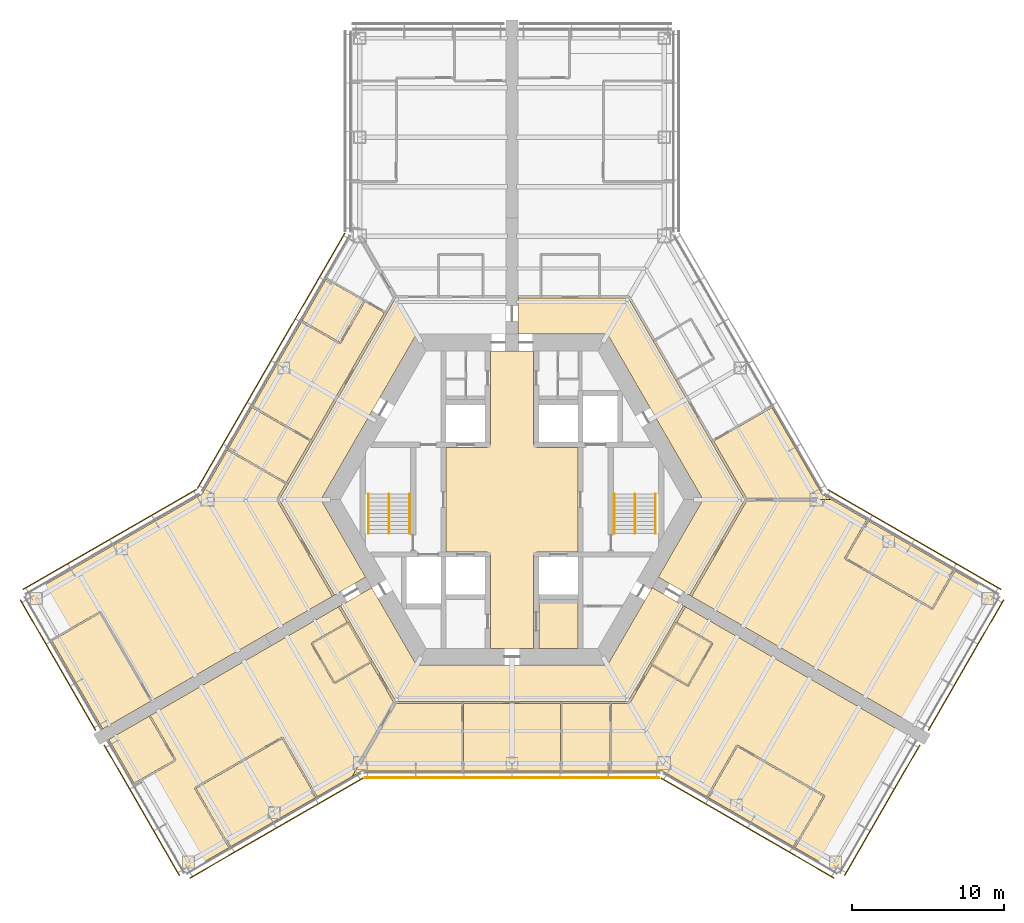
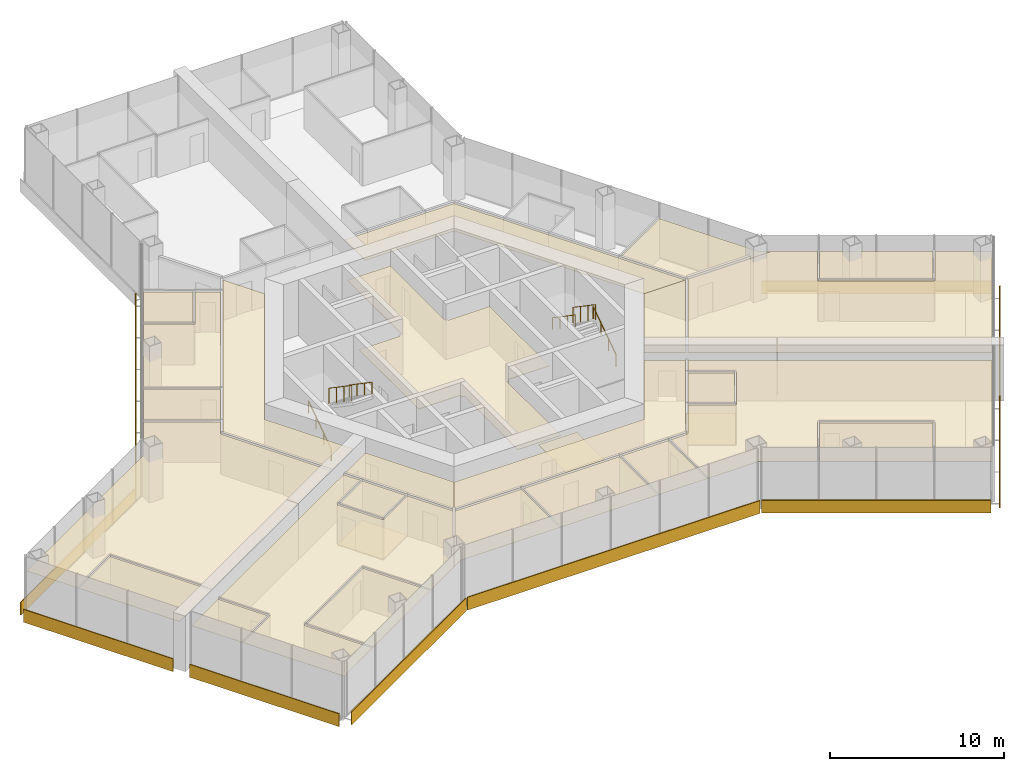
# One storey, part 18 of 19: 27 coverings, 10 shading devices, 6 railings.
"""IFC4 building model written with IfcOpenShell, lengths in metres."""

from ifc_helpers import new_model, si_unit, direction, frame, origin, origin_2d, place, context, subcontext, project, spatial, polyline, rectangle, circle, outline, extrude, material, layer, layer_set, type_object, element, save


model = new_model("IFC4")

# Units and contexts
model_context = context("Model", 3, precision=1e-05, world=origin(), true_north=direction((0.0, 1.0)))
body_context = subcontext(model_context, "Body", "Model", "MODEL_VIEW")
ifc_project = project(units=[si_unit("LENGTHUNIT", "METRE"), si_unit("AREAUNIT", "SQUARE_METRE"), si_unit("VOLUMEUNIT", "CUBIC_METRE"), si_unit("PLANEANGLEUNIT", "RADIAN"), si_unit("MASSUNIT", "GRAM", prefix="KILO")], contexts=[model_context])

# Site, building, storey
site_placement = place(None, origin())
site = spatial("IfcSite", under=ifc_project, at=site_placement, CompositionType="ELEMENT")
building_placement = place(site_placement, origin())
building = spatial("IfcBuilding", under=site, at=building_placement, Name="Kasaneha Research Tower", CompositionType="ELEMENT")
storey_placement = place(building_placement, frame((0.0, 0.0, 92.39990234375)))
storey = spatial("IfcBuildingStorey", under=building, at=storey_placement, Name="L23", CompositionType="ELEMENT", Elevation=92.39990234375)

# Covering
ifc_material_1 = material(Name="Aluminium panel ceiling", Category="aluminium")
ifc_layer_1 = layer(ifc_material_1, 0.0400390625)
ifc_layer_set_1 = layer_set([ifc_layer_1], Name="Lift lobby ceiling 40")
covering_type_1 = type_object("IfcCoveringType", Name="Lift lobby ceiling 40", PredefinedType="CEILING", material=ifc_layer_set_1)
covering_1_placement = place(storey_placement, frame((0.0, 0.0, 2.7001953125)))
element("IfcCovering", 1, at=covering_1_placement, inside=storey, type_object=covering_type_1, Name="Ceiling L23-01", PredefinedType="CEILING", context=body_context, shape_type="SweptSolid", body=[
    extrude(outline(polyline([(1.425048828125, 9.77490234375), (1.425048828125, 3.60009765625), (1.60009765625, 3.60009765625), (1.60009765625, 3.425048828125), (4.324951171875, 3.425048828125), (4.324951171875, -3.425048828125), (1.60009765625, -3.425048828125), (1.60009765625, -3.60009765625), (1.425048828125, -3.60009765625), (1.425048828125, -9.77490234375), (-1.425048828125, -9.77490234375), (-1.425048828125, -3.60009765625), (-1.60009765625, -3.60009765625), (-1.60009765625, -3.425048828125), (-4.324951171875, -3.425048828125), (-4.324951171875, 3.425048828125), (-1.60009765625, 3.425048828125), (-1.60009765625, 3.60009765625), (-1.425048828125, 3.60009765625), (-1.425048828125, 9.77490234375), (1.425048828125, 9.77490234375)])), origin(), (0.0, 0.0, 1.0), 0.039794921875),
])

# Railings
ifc_material_2 = material(Name="Steel", Category="steel")
railing_type_1 = type_object("IfcRailingType", Name="Stair balustrade 1100", PredefinedType="GUARDRAIL", material=ifc_material_2)
for number, where, name in (
    (2, (8.074951171875, 0.375, 2.12744140625), "Stair 1 balustrade L23"),
    (3, (-8.074951171875, 0.375, 2.12744140625), "Stair 2 balustrade L23"),
):
    element("IfcRailing", number, at=place(storey_placement, frame(where)), inside=storey, type_object=railing_type_1, Name=name, PredefinedType="GUARDRAIL", context=body_context, shape_type="SweptSolid", body=[
        extrude(circle(Radius=0.02392578125, at=origin_2d()), frame((0.0, 0.0, 1.076171875), z_axis=(0.0, -0.826240473404, 0.563317565952), x_axis=(1.0, 0.0, 0.0)), (0.0, 0.0, 1.0), 3.14697265625),
        extrude(circle(Radius=0.02099609375, at=origin_2d()), origin(), (0.0, 0.0, 1.0), 1.052001953125),
        extrude(circle(Radius=0.02099609375, at=origin_2d()), frame((0.0, -0.86669921875, 0.5908203125)), (0.0, 0.0, 1.0), 1.052001953125),
        extrude(circle(Radius=0.02099609375, at=origin_2d()), frame((0.0, -1.7333984375, 1.181884765625)), (0.0, 0.0, 1.0), 1.052001953125),
        extrude(circle(Radius=0.02099609375, at=origin_2d()), frame((0.0, -2.60009765625, 1.772705078125)), (0.0, 0.0, 1.0), 1.052001953125),
    ])
ifc_material_3 = material(Name="Steel", Category="steel")
railing_type_2 = type_object("IfcRailingType", Name="Stair handrail 850", PredefinedType="HANDRAIL", material=ifc_material_3)
railing_1_placement = place(storey_placement, frame((9.425048828125, -2.22509765625, 0.177490234375)))
element("IfcRailing", 4, at=railing_1_placement, inside=storey, type_object=railing_type_2, Name="Stair 1 handrail L23", PredefinedType="HANDRAIL", context=body_context, shape_type="SweptSolid", body=[
    extrude(circle(Radius=0.02392578125, at=origin_2d()), frame((0.0, 0.0, 0.826171875), z_axis=(0.0, 0.826240473404, 0.563317565952), x_axis=(-1.0, 0.0, 0.0)), (0.0, 0.0, 1.0), 3.14697265625),
    extrude(circle(Radius=0.02099609375, at=origin_2d()), origin(), (0.0, 0.0, 1.0), 0.802001953125),
    extrude(circle(Radius=0.02099609375, at=origin_2d()), frame((0.0, 0.86669921875, 0.5908203125)), (0.0, 0.0, 1.0), 0.802001953125),
    extrude(circle(Radius=0.02099609375, at=origin_2d()), frame((0.0, 1.7333984375, 1.181884765625)), (0.0, 0.0, 1.0), 0.802001953125),
    extrude(circle(Radius=0.02099609375, at=origin_2d()), frame((0.0, 2.60009765625, 1.772705078125)), (0.0, 0.0, 1.0), 0.802001953125),
])
railing_2_placement = place(storey_placement, frame((6.72509765625, 0.375, 2.12744140625)))
element("IfcRailing", 5, at=railing_2_placement, inside=storey, type_object=railing_type_2, Name="Stair 1 handrail L23", PredefinedType="HANDRAIL", context=body_context, shape_type="SweptSolid", body=[
    extrude(circle(Radius=0.02392578125, at=origin_2d()), frame((0.0, 0.0, 0.826171875), z_axis=(0.0, -0.826240473404, 0.563317565952), x_axis=(1.0, 0.0, 0.0)), (0.0, 0.0, 1.0), 3.14697265625),
    extrude(circle(Radius=0.02099609375, at=origin_2d()), origin(), (0.0, 0.0, 1.0), 0.802001953125),
    extrude(circle(Radius=0.02099609375, at=origin_2d()), frame((0.0, -0.86669921875, 0.5908203125)), (0.0, 0.0, 1.0), 0.802001953125),
    extrude(circle(Radius=0.02099609375, at=origin_2d()), frame((0.0, -1.7333984375, 1.181884765625)), (0.0, 0.0, 1.0), 0.802001953125),
    extrude(circle(Radius=0.02099609375, at=origin_2d()), frame((0.0, -2.60009765625, 1.772705078125)), (0.0, 0.0, 1.0), 0.802001953125),
])
railing_3_placement = place(storey_placement, frame((-9.425048828125, -2.22509765625, 0.177490234375)))
element("IfcRailing", 6, at=railing_3_placement, inside=storey, type_object=railing_type_2, Name="Stair 2 handrail L23", PredefinedType="HANDRAIL", context=body_context, shape_type="SweptSolid", body=[
    extrude(circle(Radius=0.02392578125, at=origin_2d()), frame((0.0, 0.0, 0.826171875), z_axis=(0.0, 0.826240473404, 0.563317565952), x_axis=(-1.0, 0.0, 0.0)), (0.0, 0.0, 1.0), 3.14697265625),
    extrude(circle(Radius=0.02099609375, at=origin_2d()), origin(), (0.0, 0.0, 1.0), 0.802001953125),
    extrude(circle(Radius=0.02099609375, at=origin_2d()), frame((0.0, 0.86669921875, 0.5908203125)), (0.0, 0.0, 1.0), 0.802001953125),
    extrude(circle(Radius=0.02099609375, at=origin_2d()), frame((0.0, 1.7333984375, 1.181884765625)), (0.0, 0.0, 1.0), 0.802001953125),
    extrude(circle(Radius=0.02099609375, at=origin_2d()), frame((0.0, 2.60009765625, 1.772705078125)), (0.0, 0.0, 1.0), 0.802001953125),
])
railing_4_placement = place(storey_placement, frame((-6.72509765625, 0.375, 2.12744140625)))
element("IfcRailing", 7, at=railing_4_placement, inside=storey, type_object=railing_type_2, Name="Stair 2 handrail L23", PredefinedType="HANDRAIL", context=body_context, shape_type="SweptSolid", body=[
    extrude(circle(Radius=0.02392578125, at=origin_2d()), frame((0.0, 0.0, 0.826171875), z_axis=(0.0, -0.826240473404, 0.563317565952), x_axis=(1.0, 0.0, 0.0)), (0.0, 0.0, 1.0), 3.14697265625),
    extrude(circle(Radius=0.02099609375, at=origin_2d()), origin(), (0.0, 0.0, 1.0), 0.802001953125),
    extrude(circle(Radius=0.02099609375, at=origin_2d()), frame((0.0, -0.86669921875, 0.5908203125)), (0.0, 0.0, 1.0), 0.802001953125),
    extrude(circle(Radius=0.02099609375, at=origin_2d()), frame((0.0, -1.7333984375, 1.181884765625)), (0.0, 0.0, 1.0), 0.802001953125),
    extrude(circle(Radius=0.02099609375, at=origin_2d()), frame((0.0, -2.60009765625, 1.772705078125)), (0.0, 0.0, 1.0), 0.802001953125),
])

# Coverings
ifc_material_4 = material(Name="Gypsum ceiling board", Category="gypsum")
ifc_layer_2 = layer(ifc_material_4, 0.02001953125)
ifc_layer_set_2 = layer_set([ifc_layer_2], Name="Suspended ceiling 20")
covering_type_2 = type_object("IfcCoveringType", Name="Suspended ceiling 20", PredefinedType="CEILING", material=ifc_layer_set_2)
covering_2_placement = place(storey_placement, frame((0.0, 0.0, 2.800048828125)))
element("IfcCovering", 8, at=covering_2_placement, inside=storey, type_object=covering_type_2, Name="Ceiling L23-27", PredefinedType="CEILING", context=body_context, shape_type="SweptSolid", body=[
    extrude(outline(polyline([(6.278564453125, 10.875), (0.39990234375, 10.875), (0.39990234375, 11.72509765625), (0.39990234375, 12.72509765625), (0.39990234375, 13.324951171875), (0.419921875, 13.324951171875), (0.419921875, 13.25), (1.89501953125, 13.25), (1.904541015625, 13.25), (5.75244140625, 13.25), (5.761962890625, 13.25), (7.64990234375, 13.25), (9.277099609375, 10.431640625), (9.277099609375, 10.431640625), (10.77734375, 7.8330078125), (10.77734375, 7.8330078125), (13.100341796875, 3.809814453125), (13.100341796875, 3.809814453125), (15.2998046875, 0.0), (15.2998046875, 0.0), (12.557373046875, 0.0), (6.278564453125, 10.875)])), origin(), (0.0, 0.0, 1.0), 0.02001953125),
])
covering_3_placement = place(storey_placement, frame((0.0, 0.0, 2.800048828125)))
element("IfcCovering", 9, at=covering_3_placement, inside=storey, type_object=covering_type_2, Name="Ceiling L23-30", PredefinedType="CEILING", context=body_context, shape_type="SweptSolid", body=[
    extrude(outline(polyline([(21.000244140625, -0.00048828125), (15.38671875, -0.00048828125), (15.374755859375, 0.02001953125), (15.439697265625, 0.0576171875), (13.255126953125, 3.841552734375), (17.081298828125, 6.055419921875), (20.366455078125, 0.366455078125), (21.000244140625, -0.00048828125)])), origin(), (0.0, 0.0, 1.0), 0.02001953125),
])
covering_4_placement = place(storey_placement, frame((0.0, 0.0, 2.800048828125)))
element("IfcCovering", 10, at=covering_4_placement, inside=storey, type_object=covering_type_2, Name="Ceiling L23-40", PredefinedType="CEILING", context=body_context, shape_type="SweptSolid", body=[
    extrude(outline(polyline([(-12.557373046875, 0.0), (-9.617919921875, -5.091064453125), (-11.59326171875, -6.2314453125), (-11.73974609375, -6.316162109375), (-11.749755859375, -6.298828125), (-11.684814453125, -6.26123046875), (-15.2998046875, 0.0), (-14.723876953125, 0.997802734375), (-14.7236328125, 0.997802734375), (-13.100341796875, 3.809814453125), (-13.100341796875, 3.809814453125), (-8.22607421875, 12.251708984375), (-8.226318359375, 12.251708984375), (-7.64990234375, 13.25), (-6.278564453125, 10.875), (-12.557373046875, 0.0)])), origin(), (0.0, 0.0, 1.0), 0.02001953125),
])
covering_5_placement = place(storey_placement, frame((0.0, 0.0, 2.800048828125)))
element("IfcCovering", 11, at=covering_5_placement, inside=storey, type_object=covering_type_2, Name="Ceiling L23-41", PredefinedType="CEILING", context=body_context, shape_type="SweptSolid", body=[
    extrude(outline(polyline([(-12.211669921875, 14.489990234375), (-9.749755859375, 13.06298828125), (-11.316650390625, 10.340087890625), (-13.767578125, 11.7548828125), (-13.79248046875, 11.711669921875), (-13.809814453125, 11.7216796875), (-12.211669921875, 14.489990234375)])), origin(), (0.0, 0.0, 1.0), 0.02001953125),
])
covering_6_placement = place(storey_placement, frame((0.0, 0.0, 2.800048828125)))
element("IfcCovering", 12, at=covering_6_placement, inside=storey, type_object=covering_type_2, Name="Ceiling L23-42", PredefinedType="CEILING", context=body_context, shape_type="SweptSolid", body=[
    extrude(outline(polyline([(-30.258056640625, -9.232666015625), (-30.23291015625, -9.27587890625), (-27.072021484375, -7.450927734375), (-23.740234375, -13.221435546875), (-23.697021484375, -13.196533203125), (-23.68701171875, -13.2138671875), (-26.891357421875, -15.063720703125), (-30.258056640625, -9.232666015625), (-30.258056640625, -9.232666015625)])), origin(), (0.0, 0.0, 1.0), 0.02001953125),
])
covering_7_placement = place(storey_placement, frame((0.0, 0.0, 2.800048828125)))
element("IfcCovering", 13, at=covering_7_placement, inside=storey, type_object=covering_type_2, Name="Ceiling L23-43", PredefinedType="CEILING", context=body_context, shape_type="SweptSolid", body=[
    extrude(outline(polyline([(-18.679443359375, 3.287353515625), (-17.081298828125, 6.055419921875), (-13.255126953125, 3.841552734375), (-14.823974609375, 1.1240234375), (-18.63720703125, 3.320556640625), (-18.662109375, 3.27734375), (-18.679443359375, 3.287353515625)])), origin(), (0.0, 0.0, 1.0), 0.02001953125),
])
covering_8_placement = place(storey_placement, frame((0.0, 0.0, 2.800048828125)))
element("IfcCovering", 14, at=covering_8_placement, inside=storey, type_object=covering_type_2, Name="Ceiling L23-45", PredefinedType="CEILING", context=body_context, shape_type="SweptSolid", body=[
    extrude(outline(polyline([(-27.0537109375, -7.38232421875), (-27.07861328125, -7.33935546875), (-30.282958984375, -9.189208984375), (-30.25830078125, -9.232177734375), (-30.25830078125, -9.232177734375), (-31.94140625, -6.31689453125), (-20.365966796875, 0.365966796875), (-18.6796875, 3.286865234375), (-18.662353515625, 3.27685546875), (-18.68701171875, 3.23388671875), (-14.8740234375, 1.03759765625), (-15.451416015625, 0.03759765625), (-15.38671875, 0.000244140625), (-15.38671875, -0.000244140625), (-15.38671875, -0.000244140625), (-15.451416015625, -0.03759765625), (-11.814697265625, -6.336181640625), (-11.750244140625, -6.299072265625), (-11.740234375, -6.31640625), (-18.40380859375, -10.16357421875), (-23.6865234375, -13.213623046875), (-23.696533203125, -13.1962890625), (-23.65380859375, -13.17138671875), (-27.010498046875, -7.357666015625), (-27.05322265625, -7.38232421875), (-27.053466796875, -7.38232421875), (-27.0537109375, -7.38232421875)])), origin(), (0.0, 0.0, 1.0), 0.02001953125),
])
covering_9_placement = place(storey_placement, frame((0.0, 0.0, 2.800048828125)))
element("IfcCovering", 15, at=covering_9_placement, inside=storey, type_object=covering_type_2, Name="Ceiling L23-46", PredefinedType="CEILING", context=body_context, shape_type="SweptSolid", body=[
    extrude(outline(polyline([(-11.298095703125, 10.271484375), (-11.2548828125, 10.246826171875), (-9.66064453125, 13.01708984375), (-8.381103515625, 12.283203125), (-13.205078125, 3.927978515625), (-17.03125, 6.14208984375), (-17.055908203125, 6.09912109375), (-17.055908203125, 6.09912109375), (-13.81005859375, 11.72119140625), (-13.792724609375, 11.711181640625), (-13.8173828125, 11.66845703125), (-11.3232421875, 10.228515625), (-11.298583984375, 10.271240234375), (-11.29833984375, 10.271240234375), (-11.298095703125, 10.271484375)])), origin(), (0.0, 0.0, 1.0), 0.02001953125),
])
covering_10_placement = place(storey_placement, frame((0.0, 0.0, 2.800048828125)))
element("IfcCovering", 16, at=covering_10_placement, inside=storey, type_object=covering_type_2, Name="Ceiling L23-47", PredefinedType="CEILING", context=body_context, shape_type="SweptSolid", body=[
    extrude(outline(polyline([(-7.64990234375, -13.25), (-9.177001953125, -10.604736328125), (-9.177001953125, -10.604736328125), (-10.67724609375, -8.00634765625), (-10.677490234375, -8.00634765625), (-11.264892578125, -6.98876953125), (-11.329833984375, -7.026123046875), (-11.33984375, -7.0087890625), (-9.218017578125, -5.783935546875), (-6.278564453125, -10.875), (-7.64990234375, -13.25)])), origin(), (0.0, 0.0, 1.0), 0.02001953125),
])
covering_11_placement = place(storey_placement, frame((0.0, 0.0, 2.800048828125)))
element("IfcCovering", 17, at=covering_11_placement, inside=storey, type_object=covering_type_2, Name="Ceiling L23-48", PredefinedType="CEILING", context=body_context, shape_type="SweptSolid", body=[
    extrude(outline(polyline([(-18.574951171875, -22.8486328125), (-18.5849609375, -22.831298828125), (-18.541748046875, -22.806396484375), (-20.756591796875, -18.9697265625), (-15.110595703125, -15.7099609375), (-12.885498046875, -19.563720703125), (-12.84228515625, -19.538818359375), (-12.84228515625, -19.538818359375), (-18.574951171875, -22.8486328125)])), origin(), (0.0, 0.0, 1.0), 0.02001953125),
])
covering_12_placement = place(storey_placement, frame((0.0, 0.0, 2.800048828125)))
element("IfcCovering", 18, at=covering_12_placement, inside=storey, type_object=covering_type_2, Name="Ceiling L23-49", PredefinedType="CEILING", context=body_context, shape_type="SweptSolid", body=[
    extrude(outline(polyline([(-9.33203125, -10.63671875), (-11.646484375, -11.977783203125), (-13.096435546875, -9.466552734375), (-10.777587890625, -8.132568359375), (-9.33203125, -10.63671875)])), origin(), (0.0, 0.0, 1.0), 0.02001953125),
])
covering_13_placement = place(storey_placement, frame((0.0, 0.0, 2.800048828125)))
element("IfcCovering", 19, at=covering_13_placement, inside=storey, type_object=covering_type_2, Name="Ceiling L23-50", PredefinedType="CEILING", context=body_context, shape_type="SweptSolid", body=[
    extrude(outline(polyline([(-23.806640625, -14.20654296875), (-23.796630859375, -14.223876953125), (-23.840087890625, -14.2490234375), (-22.191650390625, -17.10400390625), (-24.8330078125, -18.62890625), (-24.80810546875, -18.67236328125), (-24.80810546875, -18.67236328125), (-26.491455078125, -15.756591796875), (-23.806640625, -14.20654296875)])), origin(), (0.0, 0.0, 1.0), 0.02001953125),
])
covering_14_placement = place(storey_placement, frame((0.0, 0.0, 2.800048828125)))
element("IfcCovering", 20, at=covering_14_placement, inside=storey, type_object=covering_type_2, Name="Ceiling L23-51", PredefinedType="CEILING", context=body_context, shape_type="SweptSolid", body=[
    extrude(outline(polyline([(-13.1650390625, -9.447998046875), (-13.1650390625, -9.4482421875), (-13.2080078125, -9.47314453125), (-11.7080078125, -12.0712890625), (-11.6650390625, -12.04638671875), (-11.6650390625, -12.04638671875), (-11.664794921875, -12.046142578125), (-11.6396484375, -12.08935546875), (-9.281982421875, -10.72314453125), (-7.76953125, -13.342529296875), (-7.705078125, -13.30517578125), (-7.693359375, -13.325439453125), (-10.5, -18.1865234375), (-12.841796875, -19.53857421875), (-12.841796875, -19.53857421875), (-12.798828125, -19.513916015625), (-15.048828125, -15.61669921875), (-15.092041015625, -15.6416015625), (-15.09228515625, -15.64111328125), (-15.092529296875, -15.641357421875), (-15.1171875, -15.598388671875), (-20.85009765625, -18.908203125), (-20.824951171875, -18.951416015625), (-20.868408203125, -18.9765625), (-18.62841796875, -22.856201171875), (-18.58544921875, -22.83154296875), (-18.575439453125, -22.848876953125), (-21.44140625, -24.50341796875), (-24.782958984375, -18.715576171875), (-22.098388671875, -17.16552734375), (-22.123046875, -17.12255859375), (-22.122802734375, -17.122314453125), (-22.123046875, -17.1220703125), (-22.080078125, -17.097412109375), (-23.75341796875, -14.198974609375), (-23.796142578125, -14.2236328125), (-23.80615234375, -14.206298828125), (-11.34033203125, -7.00927734375), (-11.330322265625, -7.0263671875), (-11.394775390625, -7.063720703125), (-10.82763671875, -8.046142578125), (-13.189697265625, -9.40478515625), (-13.164794921875, -9.447998046875), (-13.1650390625, -9.447998046875)])), origin(), (0.0, 0.0, 1.0), 0.02001953125),
])
covering_15_placement = place(storey_placement, frame((0.0, 0.0, 2.800048828125)))
element("IfcCovering", 21, at=covering_15_placement, inside=storey, type_object=covering_type_2, Name="Ceiling L23-52", PredefinedType="CEILING", context=body_context, shape_type="SweptSolid", body=[
    extrude(outline(polyline([(9.617919921875, -5.091064453125), (12.557373046875, 0.0), (15.2998046875, 0.0), (11.684814453125, -6.26123046875), (11.749755859375, -6.298828125), (11.73974609375, -6.316162109375), (11.59326171875, -6.2314453125), (9.617919921875, -5.091064453125)])), origin(), (0.0, 0.0, 1.0), 0.02001953125),
])
covering_16_placement = place(storey_placement, frame((0.0, 0.0, 2.800048828125)))
element("IfcCovering", 22, at=covering_16_placement, inside=storey, type_object=covering_type_2, Name="Ceiling L23-53", PredefinedType="CEILING", context=body_context, shape_type="SweptSolid", body=[
    extrude(outline(polyline([(29.03173828125, -4.63720703125), (27.606689453125, -7.105224609375), (21.96044921875, -3.845458984375), (23.37548828125, -1.39453125), (23.332275390625, -1.36962890625), (23.34228515625, -1.352294921875), (29.03173828125, -4.63720703125)])), origin(), (0.0, 0.0, 1.0), 0.02001953125),
])
covering_17_placement = place(storey_placement, frame((0.0, 0.0, 2.800048828125)))
element("IfcCovering", 23, at=covering_17_placement, inside=storey, type_object=covering_type_2, Name="Ceiling L23-54", PredefinedType="CEILING", context=body_context, shape_type="SweptSolid", body=[
    extrude(outline(polyline([(21.0, 0.0), (23.341796875, -1.35205078125), (23.331787109375, -1.369384765625), (23.288818359375, -1.344482421875), (21.848876953125, -3.8388671875), (21.89208984375, -3.86376953125), (21.891845703125, -3.8642578125), (21.89208984375, -3.8642578125), (21.8671875, -3.906982421875), (27.60009765625, -7.216796875), (27.624755859375, -7.174072265625), (27.624755859375, -7.174072265625), (27.625, -7.173583984375), (27.668212890625, -7.198486328125), (29.118408203125, -4.68701171875), (31.94140625, -6.31689453125), (26.891357421875, -15.063720703125), (20.037841796875, -11.10693359375), (11.740234375, -6.31640625), (11.750244140625, -6.299072265625), (11.814697265625, -6.336181640625), (15.439697265625, -0.0576171875), (15.375244140625, -0.020263671875), (15.386962890625, 0.0), (21.0, 0.0)])), origin(), (0.0, 0.0, 1.0), 0.02001953125),
])
covering_18_placement = place(storey_placement, frame((0.0, 0.0, 2.800048828125)))
element("IfcCovering", 24, at=covering_18_placement, inside=storey, type_object=covering_type_2, Name="Ceiling L23-55", PredefinedType="CEILING", context=body_context, shape_type="SweptSolid", body=[
    extrude(outline(polyline([(-6.278564453125, -10.875), (6.278564453125, -10.875), (9.218017578125, -5.783935546875), (11.33984375, -7.0087890625), (11.329833984375, -7.026123046875), (11.264892578125, -6.98876953125), (10.677490234375, -8.00634765625), (10.67724609375, -8.00634765625), (9.0771484375, -10.778076171875), (9.0771484375, -10.778076171875), (7.64990234375, -13.25), (6.497802734375, -13.25), (6.48828125, -13.25), (3.2509765625, -13.25), (3.241455078125, -13.25), (-3.241455078125, -13.25), (-3.2509765625, -13.25), (-7.64990234375, -13.25), (-7.64990234375, -13.25), (-6.278564453125, -10.875)])), origin(), (0.0, 0.0, 1.0), 0.02001953125),
])
covering_19_placement = place(storey_placement, frame((0.0, 0.0, 2.800048828125)))
element("IfcCovering", 25, at=covering_19_placement, inside=storey, type_object=covering_type_2, Name="Ceiling L23-56", PredefinedType="CEILING", context=body_context, shape_type="SweptSolid", body=[
    extrude(outline(polyline([(9.23193359375, -10.809814453125), (10.777587890625, -8.132568359375), (13.096435546875, -9.466552734375), (11.54638671875, -12.151123046875), (9.23193359375, -10.809814453125)])), origin(), (0.0, 0.0, 1.0), 0.02001953125),
])
covering_20_placement = place(storey_placement, frame((0.0, 0.0, 2.800048828125)))
element("IfcCovering", 26, at=covering_20_placement, inside=storey, type_object=covering_type_2, Name="Ceiling L23-57", PredefinedType="CEILING", context=body_context, shape_type="SweptSolid", body=[
    extrude(outline(polyline([(-10.50048828125, -18.1865234375), (-7.693603515625, -13.324951171875), (-7.670166015625, -13.324951171875), (-7.670166015625, -13.39990234375), (-3.30078125, -13.39990234375), (-3.29638671875, -17.800537109375), (-3.246337890625, -17.800537109375), (-3.246337890625, -17.820556640625), (-9.865966796875, -17.821044921875), (-10.50048828125, -18.1865234375)])), origin(), (0.0, 0.0, 1.0), 0.02001953125),
])
covering_21_placement = place(storey_placement, frame((0.0, 0.0, 2.800048828125)))
element("IfcCovering", 27, at=covering_21_placement, inside=storey, type_object=covering_type_2, Name="Ceiling L23-58", PredefinedType="CEILING", context=body_context, shape_type="SweptSolid", body=[
    extrude(outline(polyline([(3.246337890625, -17.800537109375), (3.29638671875, -17.800537109375), (3.30078125, -13.39990234375), (6.4384765625, -13.39990234375), (6.44287109375, -17.800537109375), (6.492919921875, -17.800537109375), (6.492919921875, -17.820556640625), (3.246337890625, -17.820556640625), (3.246337890625, -17.800537109375)])), origin(), (0.0, 0.0, 1.0), 0.02001953125),
])
covering_22_placement = place(storey_placement, frame((0.0, 0.0, 2.800048828125)))
element("IfcCovering", 28, at=covering_22_placement, inside=storey, type_object=covering_type_2, Name="Ceiling L23-59", PredefinedType="CEILING", context=body_context, shape_type="SweptSolid", body=[
    extrude(outline(polyline([(12.84228515625, -19.538818359375), (12.84228515625, -19.538818359375), (12.885498046875, -19.563720703125), (14.810546875, -16.2294921875), (20.456787109375, -19.489501953125), (18.541748046875, -22.806396484375), (18.5849609375, -22.831298828125), (18.574951171875, -22.8486328125), (12.84228515625, -19.538818359375)])), origin(), (0.0, 0.0, 1.0), 0.02001953125),
])
covering_23_placement = place(storey_placement, frame((0.0, 0.0, 2.800048828125)))
element("IfcCovering", 29, at=covering_23_placement, inside=storey, type_object=covering_type_2, Name="Ceiling L23-60", PredefinedType="CEILING", context=body_context, shape_type="SweptSolid", body=[
    extrude(outline(polyline([(7.693603515625, -13.325439453125), (7.693603515625, -13.3251953125), (7.758056640625, -13.362548828125), (9.181884765625, -10.896484375), (11.53955078125, -12.2626953125), (11.564453125, -12.2197265625), (11.56494140625, -12.219970703125), (11.56494140625, -12.2197265625), (11.60791015625, -12.244384765625), (13.2080078125, -9.47314453125), (13.164794921875, -9.447998046875), (13.189697265625, -9.40478515625), (10.82763671875, -8.046142578125), (11.394775390625, -7.063720703125), (11.330322265625, -7.0263671875), (11.34033203125, -7.00927734375), (26.491455078125, -15.756591796875), (21.44140625, -24.50341796875), (18.575439453125, -22.848876953125), (18.58544921875, -22.83154296875), (18.62841796875, -22.856201171875), (20.568359375, -19.49609375), (20.525146484375, -19.47119140625), (20.525390625, -19.470703125), (20.525146484375, -19.470703125), (20.550048828125, -19.427734375), (14.817138671875, -16.117919921875), (14.79248046875, -16.160888671875), (14.79248046875, -16.160888671875), (14.792236328125, -16.161376953125), (14.748779296875, -16.13623046875), (12.798828125, -19.513916015625), (12.841796875, -19.53857421875), (12.841796875, -19.53857421875), (9.865966796875, -17.820556640625), (6.493408203125, -17.820556640625), (6.493408203125, -17.800537109375), (6.542724609375, -17.800537109375), (6.538330078125, -13.39990234375), (7.693115234375, -13.39990234375), (7.693115234375, -13.325439453125), (7.693603515625, -13.325439453125)])), origin(), (0.0, 0.0, 1.0), 0.02001953125),
])
covering_24_placement = place(storey_placement, frame((0.0, 0.0, 2.800048828125)))
element("IfcCovering", 30, at=covering_24_placement, inside=storey, type_object=covering_type_2, Name="Ceiling L23-61", PredefinedType="CEILING", context=body_context, shape_type="SweptSolid", body=[
    extrude(outline(polyline([(3.245849609375, -17.820556640625), (-3.245849609375, -17.820556640625), (-3.245849609375, -17.800537109375), (-3.1962890625, -17.800537109375), (-3.200927734375, -13.39990234375), (3.200927734375, -13.39990234375), (3.1962890625, -17.800537109375), (3.245849609375, -17.800537109375), (3.245849609375, -17.820556640625)])), origin(), (0.0, 0.0, 1.0), 0.02001953125),
])

# Shading devices
ifc_material_5 = material(Name="Terracotta", Category="masonry")
ifc_layer_3 = layer(ifc_material_5, 0.06005859375)
ifc_layer_set_3 = layer_set([ifc_layer_3], Name="Terracotta baguette screen")
shading_device_type = type_object("IfcShadingDeviceType", Name="Terracotta baguette screen", PredefinedType="USERDEFINED", material=ifc_layer_set_3)
shading_device_1_placement = place(storey_placement, frame((-15.483642578125, -21.58349609375, -0.449951171875), z_axis=(0.0, 0.0, 1.0), x_axis=(0.866025411464, 0.499999986699, 0.0)))
element("IfcShadingDevice", 31, at=shading_device_1_placement, inside=storey, type_object=shading_device_type, Name="Baguette screen L23 01", ObjectType="TERRACOTTA BAGUETTE SCREEN", PredefinedType="USERDEFINED", context=body_context, shape_type="SweptSolid", body=[
    extrude(rectangle(XDim=13.13916015625, YDim=0.06005859375, at=origin_2d()), origin(), (0.0, 0.0, 1.0), 0.89990234375),
])
shading_device_2_placement = place(storey_placement, frame((0.0, -18.2705078125, -0.449951171875), z_axis=(0.0, 0.0, 1.0), x_axis=(1.0, 0.0, 0.0)))
element("IfcShadingDevice", 32, at=shading_device_2_placement, inside=storey, type_object=shading_device_type, Name="Baguette screen L23 02", ObjectType="TERRACOTTA BAGUETTE SCREEN", PredefinedType="USERDEFINED", context=body_context, shape_type="SweptSolid", body=[
    extrude(rectangle(XDim=19.37841796875, YDim=0.06005859375, at=origin_2d()), origin(), (0.0, 0.0, 1.0), 0.89990234375),
])
shading_device_3_placement = place(storey_placement, frame((15.483642578125, -21.58349609375, -0.449951171875), z_axis=(0.0, 0.0, 1.0), x_axis=(0.866025411464, -0.499999986699, 0.0)))
element("IfcShadingDevice", 33, at=shading_device_3_placement, inside=storey, type_object=shading_device_type, Name="Baguette screen L23 03", ObjectType="TERRACOTTA BAGUETTE SCREEN", PredefinedType="USERDEFINED", context=body_context, shape_type="SweptSolid", body=[
    extrude(rectangle(XDim=13.13916015625, YDim=0.06005859375, at=origin_2d()), origin(), (0.0, 0.0, 1.0), 0.89990234375),
])
for number, where, z_axis, x_axis, name in (
    (34, (24.3310546875, -20.3984375, -0.449951171875), (0.0, 0.0, 1.0), (0.500000011442, 0.866025397178, 0.0), "Baguette screen L23 04"),
    (35, (29.8310546875, -10.8720703125, -0.449951171875), (0.0, 0.0, 1.0), (0.500000011442, 0.866025397178, 0.0), "Baguette screen L23 05"),
):
    element("IfcShadingDevice", number, at=place(storey_placement, frame(where, z_axis=z_axis, x_axis=x_axis)), inside=storey, type_object=shading_device_type, Name=name, ObjectType="TERRACOTTA BAGUETTE SCREEN", PredefinedType="USERDEFINED", context=body_context, shape_type="SweptSolid", body=[
        extrude(rectangle(XDim=9.89990234375, YDim=0.06005859375, at=origin_2d()), origin(), (0.0, 0.0, 1.0), 0.89990234375),
    ])
shading_device_4_placement = place(storey_placement, frame((26.43359375, -2.617431640625, -0.449951171875), z_axis=(0.0, 0.0, 1.0), x_axis=(-0.866025411464, 0.499999986699, 0.0)))
element("IfcShadingDevice", 36, at=shading_device_4_placement, inside=storey, type_object=shading_device_type, Name="Baguette screen L23 06", ObjectType="TERRACOTTA BAGUETTE SCREEN", PredefinedType="USERDEFINED", context=body_context, shape_type="SweptSolid", body=[
    extrude(rectangle(XDim=13.13916015625, YDim=0.06005859375, at=origin_2d()), origin(), (0.0, 0.0, 1.0), 0.89990234375),
])
shading_device_5_placement = place(storey_placement, frame((-15.82275390625, 9.13525390625, -0.449951171875), z_axis=(0.0, 0.0, 1.0), x_axis=(-0.49999996188, -0.866025425793, 0.0)))
element("IfcShadingDevice", 37, at=shading_device_5_placement, inside=storey, type_object=shading_device_type, Name="Baguette screen L23 12", ObjectType="TERRACOTTA BAGUETTE SCREEN", PredefinedType="USERDEFINED", context=body_context, shape_type="SweptSolid", body=[
    extrude(rectangle(XDim=19.37841796875, YDim=0.06005859375, at=origin_2d()), origin(), (0.0, 0.0, 1.0), 0.89990234375),
])
shading_device_6_placement = place(storey_placement, frame((-26.43359375, -2.617431640625, -0.449951171875), z_axis=(0.0, 0.0, 1.0), x_axis=(-0.866025411464, -0.499999986699, 0.0)))
element("IfcShadingDevice", 38, at=shading_device_6_placement, inside=storey, type_object=shading_device_type, Name="Baguette screen L23 13", ObjectType="TERRACOTTA BAGUETTE SCREEN", PredefinedType="USERDEFINED", context=body_context, shape_type="SweptSolid", body=[
    extrude(rectangle(XDim=13.13916015625, YDim=0.06005859375, at=origin_2d()), origin(), (0.0, 0.0, 1.0), 0.89990234375),
])
for number, where, z_axis, x_axis, name in (
    (39, (-29.8310546875, -10.8720703125, -0.449951171875), (0.0, 0.0, 1.0), (0.500000011442, -0.866025397178, 0.0), "Baguette screen L23 14"),
    (40, (-24.3310546875, -20.3984375, -0.449951171875), (0.0, 0.0, 1.0), (0.500000011442, -0.866025397178, 0.0), "Baguette screen L23 15"),
):
    element("IfcShadingDevice", number, at=place(storey_placement, frame(where, z_axis=z_axis, x_axis=x_axis)), inside=storey, type_object=shading_device_type, Name=name, ObjectType="TERRACOTTA BAGUETTE SCREEN", PredefinedType="USERDEFINED", context=body_context, shape_type="SweptSolid", body=[
        extrude(rectangle(XDim=9.89990234375, YDim=0.06005859375, at=origin_2d()), origin(), (0.0, 0.0, 1.0), 0.89990234375),
    ])

# Coverings
ifc_material_6 = material(Name="Vinyl sheet flooring", Category="plastic")
ifc_layer_4 = layer(ifc_material_6, 0.0048828125)
ifc_layer_set_4 = layer_set([ifc_layer_4], Name="Wet room sheet flooring 5")
covering_type_3 = type_object("IfcCoveringType", Name="Wet room sheet flooring 5", PredefinedType="FLOORING", material=ifc_layer_set_4)
covering_25_placement = place(storey_placement, origin())
element("IfcCovering", 41, at=covering_25_placement, inside=storey, type_object=covering_type_3, Name="Floor finish L23-13", PredefinedType="FLOORING", context=body_context, shape_type="SweptSolid", body=[
    extrude(outline(polyline([(1.77490234375, -9.77490234375), (1.77490234375, -6.574951171875), (4.324951171875, -6.574951171875), (4.324951171875, -9.77490234375), (1.77490234375, -9.77490234375)])), origin(), (0.0, 0.0, 1.0), 0.005126953125),
])
covering_26_placement = place(storey_placement, origin())
element("IfcCovering", 42, at=covering_26_placement, inside=storey, type_object=covering_type_3, Name="Floor finish L23-49", PredefinedType="FLOORING", context=body_context, shape_type="SweptSolid", body=[
    extrude(outline(polyline([(-11.66455078125, -12.046142578125), (-13.16455078125, -9.4482421875), (-10.73974609375, -8.048095703125), (-9.23974609375, -10.646240234375), (-11.66455078125, -12.046142578125)])), origin(), (0.0, 0.0, 1.0), 0.005126953125),
])
covering_27_placement = place(storey_placement, origin())
element("IfcCovering", 43, at=covering_27_placement, inside=storey, type_object=covering_type_3, Name="Floor finish L23-56", PredefinedType="FLOORING", context=body_context, shape_type="SweptSolid", body=[
    extrude(outline(polyline([(13.16455078125, -9.4482421875), (11.564697265625, -12.219482421875), (9.139892578125, -10.8193359375), (10.73974609375, -8.048095703125), (13.16455078125, -9.4482421875)])), origin(), (0.0, 0.0, 1.0), 0.005126953125),
])

save(model, "model.ifc")
